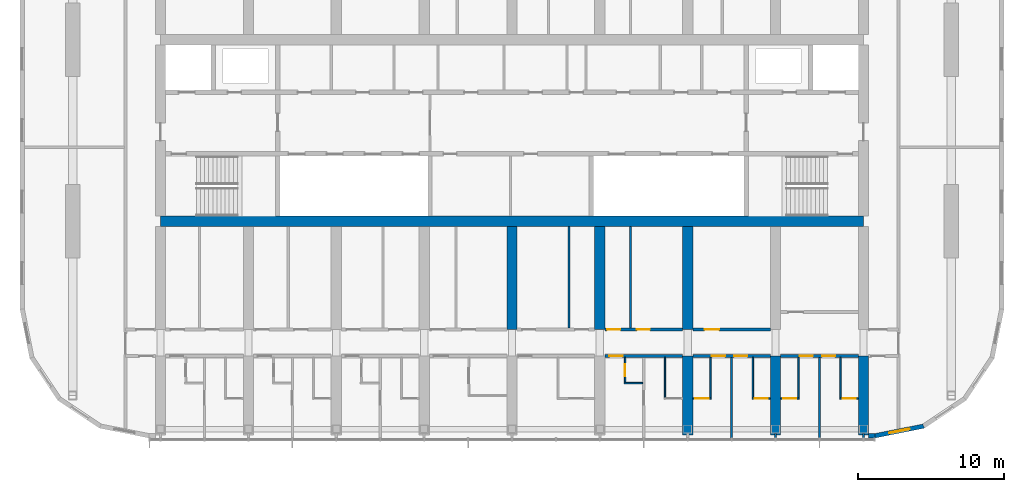
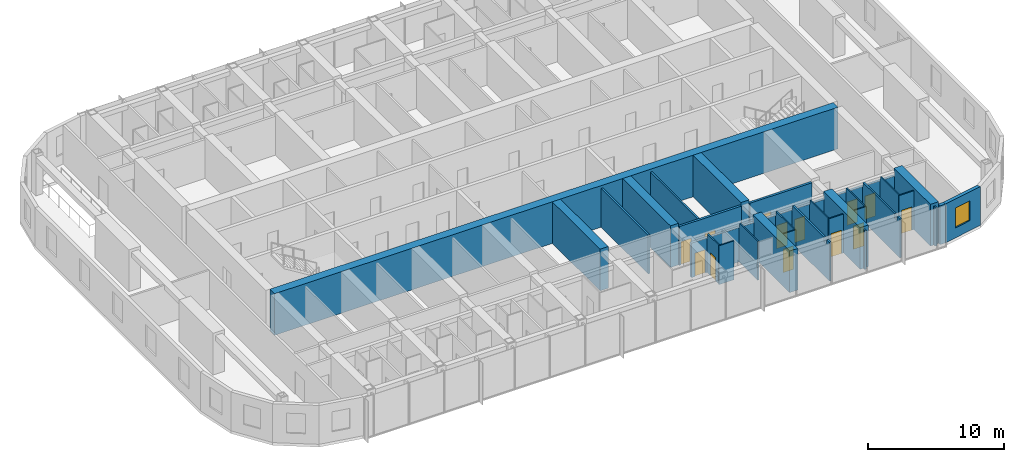
# One storey, part 13 of 24: 31 walls, 13 doors, 1 window, 14 openings.
"""IFC4 building model written with IfcOpenShell, lengths in metres."""

from ifc_helpers import new_model, si_unit, direction, frame, frame_2d, origin, place, context, subcontext, project, spatial, polyline, rectangle, outline, extrude, material, layer, layer_set, type_object, element, fill, save


model = new_model("IFC4")

# Units and contexts
model_context = context("Model", 3, precision=1e-05, world=origin(), true_north=direction((0.0, 1.0)))
body_context = subcontext(model_context, "Body", "Model", "MODEL_VIEW")
ifc_project = project(units=[si_unit("LENGTHUNIT", "METRE"), si_unit("AREAUNIT", "SQUARE_METRE"), si_unit("VOLUMEUNIT", "CUBIC_METRE"), si_unit("PLANEANGLEUNIT", "RADIAN"), si_unit("MASSUNIT", "GRAM", prefix="KILO")], contexts=[model_context])

# Site, building, storey
site_placement = place(None, origin())
site = spatial("IfcSite", under=ifc_project, at=site_placement, CompositionType="ELEMENT")
building_placement = place(site_placement, origin())
building = spatial("IfcBuilding", under=site, at=building_placement, Name="Orbita Commons", CompositionType="ELEMENT")
storey_placement = place(building_placement, frame((0.0, 0.0, 235.300048828125)))
storey = spatial("IfcBuildingStorey", under=building, at=storey_placement, Name="L58", CompositionType="ELEMENT", Elevation=235.300048828125)

# Wall
ifc_material_1 = material(Name="Concrete C50/60", Category="concrete")
ifc_layer_1 = layer(ifc_material_1, 0.699951171875)
ifc_layer_set_1 = layer_set([ifc_layer_1], Name="Concrete C50/60")
wall_type_1 = type_object("IfcWallType", Name="Core wall 700 C50/60", PredefinedType="SHEAR", material=ifc_layer_set_1)
wall_1_placement = place(storey_placement, frame((18.0, 25.800048828125, 0.0), z_axis=(0.0, 0.0, 1.0), x_axis=(1.0, 0.0, 0.0)))
element("IfcWall", 1, at=wall_1_placement, inside=storey, type_object=wall_type_1, Name="Core spine wall south L58", PredefinedType="SHEAR", context=body_context, shape_type="SweptSolid", body=[
    extrude(rectangle(XDim=48.0, YDim=0.699951171875, at=frame_2d((24.0, 0.0))), origin(), (0.0, 0.0, 1.0), 3.75),
])

# Wall, opening, door
ifc_material_2 = material(Name="Concrete blockwork", Category="masonry")
ifc_layer_2 = layer(ifc_material_2, 0.199951171875)
ifc_layer_set_2 = layer_set([ifc_layer_2], Name="Concrete blockwork")
wall_type_2 = type_object("IfcWallType", Name="Corridor wall 200 blockwork", PredefinedType="SOLIDWALL", material=ifc_layer_set_2)
wall_2_placement = place(storey_placement, frame((48.35009765625, 16.60009765625, 0.0), z_axis=(0.0, 0.0, 1.0), x_axis=(1.0, 0.0, 0.0)))
wall_2 = element("IfcWall", 2, at=wall_2_placement, inside=storey, type_object=wall_type_2, Name="Corridor wall 200 blockwork L58", PredefinedType="SOLIDWALL", context=body_context, shape_type="SweptSolid", body=[
    extrude(outline(polyline([(0.0, 0.0), (5.2998046875, 0.0), (5.300048828125, 3.099853515625), (0.0, 3.099853515625), (0.0, 0.0)])), frame((0.0, 0.10009765625, 0.0), z_axis=(0.0, -1.0, 0.0), x_axis=(1.0, 0.0, 0.0)), (0.0, 0.0, 1.0), 0.199951171875),
])
opening_1_placement = place(wall_2_placement, frame((0.300048828125, 0.0, 0.0)))
opening_1 = element("IfcOpeningElement", 3, at=opening_1_placement, cuts=wall_2, Name="Opening D11", PredefinedType="OPENING", context=body_context, shape_type="SweptSolid", body=[
    extrude(rectangle(XDim=0.89990234375, YDim=2.10009765625, at=frame_2d((0.449951171875, 1.050048828125))), frame((0.0, 0.10986328125, 0.0), z_axis=(0.0, -1.0, 0.0), x_axis=(1.0, 0.0, 0.0)), (0.0, 0.0, 1.0), 0.219970703125),
])
ifc_material_3 = material(Name="Steel-faced fire door leaf", Category="steel")
door_type_1 = type_object("IfcDoorType", Name="Corridor door 20 min 900x2100", OperationType="SINGLE_SWING_LEFT", PredefinedType="DOOR", material=ifc_material_3)
door_1_placement = place(opening_1_placement, origin())
door_1 = element("IfcDoor", 4, at=door_1_placement, inside=storey, type_object=door_type_1, Name="Guest suite sitting room and kitchenette L58-S10 entrance door", OperationType="SINGLE_SWING_LEFT", OverallHeight=2.10009765625, OverallWidth=0.89990234375, PredefinedType="DOOR", context=body_context, shape_type="SweptSolid", body=[
    extrude(rectangle(XDim=0.89990234375, YDim=2.10009765625, at=frame_2d((0.449951171875, 1.050048828125))), frame((0.0, 0.02490234375, 0.0), z_axis=(0.0, -1.0, 0.0), x_axis=(1.0, 0.0, 0.0)), (0.0, 0.0, 1.0), 0.050048828125),
])
fill(opening_1, door_1)

# Wall, openings, doors
wall_3_placement = place(storey_placement, frame((54.35009765625, 16.60009765625, 0.0), z_axis=(0.0, 0.0, 1.0), x_axis=(1.0, 0.0, 0.0)))
wall_3 = element("IfcWall", 5, at=wall_3_placement, inside=storey, type_object=wall_type_2, Name="Corridor wall 200 blockwork L58", PredefinedType="SOLIDWALL", context=body_context, shape_type="SweptSolid", body=[
    extrude(outline(polyline([(0.0, 0.0), (5.2998046875, 0.0), (5.300048828125, 3.099853515625), (0.0, 3.099853515625), (0.0, 0.0)])), frame((0.0, 0.10009765625, 0.0), z_axis=(0.0, -1.0, 0.0), x_axis=(1.0, 0.0, 0.0)), (0.0, 0.0, 1.0), 0.199951171875),
])
opening_2_placement = place(wall_3_placement, frame((1.300048828125, 0.0, 0.0)))
opening_2 = element("IfcOpeningElement", 6, at=opening_2_placement, cuts=wall_3, Name="Opening D11", PredefinedType="OPENING", context=body_context, shape_type="SweptSolid", body=[
    extrude(rectangle(XDim=0.89990234375, YDim=2.10009765625, at=frame_2d((0.449951171875, 1.050048828125))), frame((0.0, 0.10986328125, 0.0), z_axis=(0.0, -1.0, 0.0), x_axis=(1.0, 0.0, 0.0)), (0.0, 0.0, 1.0), 0.219970703125),
])
opening_3_placement = place(wall_3_placement, frame((2.824951171875, 0.0, 0.0)))
opening_3 = element("IfcOpeningElement", 7, at=opening_3_placement, cuts=wall_3, Name="Opening D11", PredefinedType="OPENING", context=body_context, shape_type="SweptSolid", body=[
    extrude(rectangle(XDim=0.89990234375, YDim=2.10009765625, at=frame_2d((0.449951171875, 1.050048828125))), frame((0.0, 0.10986328125, 0.0), z_axis=(0.0, -1.0, 0.0), x_axis=(1.0, 0.0, 0.0)), (0.0, 0.0, 1.0), 0.219970703125),
])
door_2_placement = place(opening_2_placement, origin())
door_2 = element("IfcDoor", 8, at=door_2_placement, inside=storey, type_object=door_type_1, Name="Cluster bedroom L58-S12 door", OperationType="SINGLE_SWING_LEFT", OverallHeight=2.10009765625, OverallWidth=0.89990234375, PredefinedType="DOOR", context=body_context, shape_type="SweptSolid", body=[
    extrude(rectangle(XDim=0.89990234375, YDim=2.10009765625, at=frame_2d((0.449951171875, 1.050048828125))), frame((0.0, 0.02490234375, 0.0), z_axis=(0.0, -1.0, 0.0), x_axis=(1.0, 0.0, 0.0)), (0.0, 0.0, 1.0), 0.050048828125),
])
fill(opening_2, door_2)
door_3_placement = place(opening_3_placement, origin())
door_3 = element("IfcDoor", 9, at=door_3_placement, inside=storey, type_object=door_type_1, Name="Cluster bedroom L58-S13 door", OperationType="SINGLE_SWING_LEFT", OverallHeight=2.10009765625, OverallWidth=0.89990234375, PredefinedType="DOOR", context=body_context, shape_type="SweptSolid", body=[
    extrude(rectangle(XDim=0.89990234375, YDim=2.10009765625, at=frame_2d((0.449951171875, 1.050048828125))), frame((0.0, 0.02490234375, 0.0), z_axis=(0.0, -1.0, 0.0), x_axis=(1.0, 0.0, 0.0)), (0.0, 0.0, 1.0), 0.050048828125),
])
fill(opening_3, door_3)

wall_4_placement = place(storey_placement, frame((60.35009765625, 16.60009765625, 0.0), z_axis=(0.0, 0.0, 1.0), x_axis=(1.0, 0.0, 0.0)))
wall_4 = element("IfcWall", 10, at=wall_4_placement, inside=storey, type_object=wall_type_2, Name="Corridor wall 200 blockwork L58", PredefinedType="SOLIDWALL", context=body_context, shape_type="SweptSolid", body=[
    extrude(outline(polyline([(0.0, 0.0), (5.2998046875, 0.0), (5.300048828125, 3.099853515625), (0.0, 3.099853515625), (0.0, 0.0)])), frame((0.0, 0.10009765625, 0.0), z_axis=(0.0, -1.0, 0.0), x_axis=(1.0, 0.0, 0.0)), (0.0, 0.0, 1.0), 0.199951171875),
])
opening_4_placement = place(wall_4_placement, frame((1.300048828125, 0.0, 0.0)))
opening_4 = element("IfcOpeningElement", 11, at=opening_4_placement, cuts=wall_4, Name="Opening D11", PredefinedType="OPENING", context=body_context, shape_type="SweptSolid", body=[
    extrude(rectangle(XDim=0.89990234375, YDim=2.10009765625, at=frame_2d((0.449951171875, 1.050048828125))), frame((0.0, 0.10986328125, 0.0), z_axis=(0.0, -1.0, 0.0), x_axis=(1.0, 0.0, 0.0)), (0.0, 0.0, 1.0), 0.219970703125),
])
opening_5_placement = place(wall_4_placement, frame((2.824951171875, 0.0, 0.0)))
opening_5 = element("IfcOpeningElement", 12, at=opening_5_placement, cuts=wall_4, Name="Opening D11", PredefinedType="OPENING", context=body_context, shape_type="SweptSolid", body=[
    extrude(rectangle(XDim=0.89990234375, YDim=2.10009765625, at=frame_2d((0.449951171875, 1.050048828125))), frame((0.0, 0.10986328125, 0.0), z_axis=(0.0, -1.0, 0.0), x_axis=(1.0, 0.0, 0.0)), (0.0, 0.0, 1.0), 0.219970703125),
])
door_4_placement = place(opening_4_placement, origin())
door_4 = element("IfcDoor", 13, at=door_4_placement, inside=storey, type_object=door_type_1, Name="Cluster bedroom L58-S14 door", OperationType="SINGLE_SWING_LEFT", OverallHeight=2.10009765625, OverallWidth=0.89990234375, PredefinedType="DOOR", context=body_context, shape_type="SweptSolid", body=[
    extrude(rectangle(XDim=0.89990234375, YDim=2.10009765625, at=frame_2d((0.449951171875, 1.050048828125))), frame((0.0, 0.02490234375, 0.0), z_axis=(0.0, -1.0, 0.0), x_axis=(1.0, 0.0, 0.0)), (0.0, 0.0, 1.0), 0.050048828125),
])
fill(opening_4, door_4)
door_5_placement = place(opening_5_placement, origin())
door_5 = element("IfcDoor", 14, at=door_5_placement, inside=storey, type_object=door_type_1, Name="Cluster bedroom L58-S15 door", OperationType="SINGLE_SWING_LEFT", OverallHeight=2.10009765625, OverallWidth=0.89990234375, PredefinedType="DOOR", context=body_context, shape_type="SweptSolid", body=[
    extrude(rectangle(XDim=0.89990234375, YDim=2.10009765625, at=frame_2d((0.449951171875, 1.050048828125))), frame((0.0, 0.02490234375, 0.0), z_axis=(0.0, -1.0, 0.0), x_axis=(1.0, 0.0, 0.0)), (0.0, 0.0, 1.0), 0.050048828125),
])
fill(opening_5, door_5)

ifc_material_4 = material(Name="Hollow concrete block 200", Category="concrete")
ifc_layer_3 = layer(ifc_material_4, 0.199951171875)
ifc_layer_set_3 = layer_set([ifc_layer_3], Name="Hollow concrete block 200")
wall_type_3 = type_object("IfcWallType", Name="Corridor wall 200 hollow concrete block", PredefinedType="SOLIDWALL", material=ifc_layer_set_3)
wall_5_placement = place(storey_placement, frame((48.35009765625, 18.39990234375, 0.0), z_axis=(0.0, 0.0, 1.0), x_axis=(1.0, 0.0, 0.0)))
wall_5 = element("IfcWall", 15, at=wall_5_placement, inside=storey, type_object=wall_type_3, Name="Corridor wall 200 hollow concrete block L58", PredefinedType="SOLIDWALL", context=body_context, shape_type="SweptSolid", body=[
    extrude(rectangle(XDim=5.2998046875, YDim=0.199951171875, at=frame_2d((2.64990234375, 0.0))), origin(), (0.0, 0.0, 1.0), 3.5),
])
opening_6_placement = place(wall_5_placement, frame((0.14990234375, 0.0, 0.0)))
opening_6 = element("IfcOpeningElement", 16, at=opening_6_placement, cuts=wall_5, Name="Opening D11", PredefinedType="OPENING", context=body_context, shape_type="SweptSolid", body=[
    extrude(rectangle(XDim=0.89990234375, YDim=2.10009765625, at=frame_2d((0.449951171875, 1.050048828125))), frame((0.0, 0.10986328125, 0.0), z_axis=(0.0, -1.0, 0.0), x_axis=(1.0, 0.0, 0.0)), (0.0, 0.0, 1.0), 0.219970703125),
])
opening_7_placement = place(wall_5_placement, frame((2.169921875, 0.0, 0.0)))
opening_7 = element("IfcOpeningElement", 17, at=opening_7_placement, cuts=wall_5, Name="Opening D11", PredefinedType="OPENING", context=body_context, shape_type="SweptSolid", body=[
    extrude(rectangle(XDim=0.89990234375, YDim=2.10009765625, at=frame_2d((0.449951171875, 1.050048828125))), frame((0.0, 0.10986328125, 0.0), z_axis=(0.0, -1.0, 0.0), x_axis=(1.0, 0.0, 0.0)), (0.0, 0.0, 1.0), 0.219970703125),
])
door_6_placement = place(opening_6_placement, origin())
door_6 = element("IfcDoor", 18, at=door_6_placement, inside=storey, type_object=door_type_1, Name="Sprinkler valve room L58-BDS48n door", OperationType="SINGLE_SWING_LEFT", OverallHeight=2.10009765625, OverallWidth=0.89990234375, PredefinedType="DOOR", context=body_context, shape_type="SweptSolid", body=[
    extrude(rectangle(XDim=0.89990234375, YDim=2.10009765625, at=frame_2d((0.449951171875, 1.050048828125))), frame((0.0, 0.02490234375, 0.0), z_axis=(0.0, -1.0, 0.0), x_axis=(1.0, 0.0, 0.0)), (0.0, 0.0, 1.0), 0.050048828125),
])
fill(opening_6, door_6)
door_7_placement = place(opening_7_placement, origin())
door_7 = element("IfcDoor", 19, at=door_7_placement, inside=storey, type_object=door_type_1, Name="Print and copy room L58-BDS48 door", OperationType="SINGLE_SWING_LEFT", OverallHeight=2.10009765625, OverallWidth=0.89990234375, PredefinedType="DOOR", context=body_context, shape_type="SweptSolid", body=[
    extrude(rectangle(XDim=0.89990234375, YDim=2.10009765625, at=frame_2d((0.449951171875, 1.050048828125))), frame((0.0, 0.02490234375, 0.0), z_axis=(0.0, -1.0, 0.0), x_axis=(1.0, 0.0, 0.0)), (0.0, 0.0, 1.0), 0.050048828125),
])
fill(opening_7, door_7)

# Wall, opening, door
wall_6_placement = place(storey_placement, frame((54.35009765625, 18.39990234375, 0.0), z_axis=(0.0, 0.0, 1.0), x_axis=(1.0, 0.0, 0.0)))
wall_6 = element("IfcWall", 20, at=wall_6_placement, inside=storey, type_object=wall_type_3, Name="Corridor wall 200 hollow concrete block L58", PredefinedType="SOLIDWALL", context=body_context, shape_type="SweptSolid", body=[
    extrude(rectangle(XDim=5.2998046875, YDim=0.199951171875, at=frame_2d((2.64990234375, 0.0))), origin(), (0.0, 0.0, 1.0), 3.5),
])
opening_8_placement = place(wall_6_placement, frame((0.800048828125, 0.0, 0.0)))
opening_8 = element("IfcOpeningElement", 21, at=opening_8_placement, cuts=wall_6, Name="Opening D06", PredefinedType="OPENING", context=body_context, shape_type="SweptSolid", body=[
    extrude(rectangle(XDim=1.0, YDim=2.10009765625, at=frame_2d((0.5, 1.050048828125))), frame((0.0, 0.10986328125, 0.0), z_axis=(0.0, -1.0, 0.0), x_axis=(1.0, 0.0, 0.0)), (0.0, 0.0, 1.0), 0.219970703125),
])
ifc_material_5 = material(Name="Steel-faced fire door leaf", Category="steel")
door_type_2 = type_object("IfcDoorType", Name="Corridor door 20 min 1000x2100", OperationType="SINGLE_SWING_LEFT", PredefinedType="DOOR", material=ifc_material_5)
door_8_placement = place(opening_8_placement, origin())
door_8 = element("IfcDoor", 22, at=door_8_placement, inside=storey, type_object=door_type_2, Name="Cleaners store L58-BDS54 door", OperationType="SINGLE_SWING_LEFT", OverallHeight=2.10009765625, OverallWidth=1.0, PredefinedType="DOOR", context=body_context, shape_type="SweptSolid", body=[
    extrude(rectangle(XDim=1.0, YDim=2.10009765625, at=frame_2d((0.5, 1.050048828125))), frame((0.0, 0.02490234375, 0.0), z_axis=(0.0, -1.0, 0.0), x_axis=(1.0, 0.0, 0.0)), (0.0, 0.0, 1.0), 0.050048828125),
])
fill(opening_8, door_8)

# Walls
ifc_material_6 = material(Name="Concrete C50/60", Category="concrete")
ifc_layer_4 = layer(ifc_material_6, 0.699951171875)
ifc_layer_set_4 = layer_set([ifc_layer_4], Name="Concrete C50/60")
wall_type_4 = type_object("IfcWallType", Name="Cross wall 700 C50/60", PredefinedType="SHEAR", material=ifc_layer_set_4)
for number, where, z_axis, x_axis, name in (
    (23, (42.0, 18.39990234375, 0.0), (0.0, 0.0, 1.0), (0.0, 1.0, 0.0), "Cross wall 8 south inner L58"),
    (24, (48.0, 18.39990234375, 0.0), (0.0, 0.0, 1.0), (0.0, 1.0, 0.0), "Cross wall 9 south inner L58"),
):
    element("IfcWall", number, at=place(storey_placement, frame(where, z_axis=z_axis, x_axis=x_axis)), inside=storey, type_object=wall_type_4, Name=name, PredefinedType="SHEAR", context=body_context, shape_type="SweptSolid", body=[
        extrude(rectangle(XDim=7.050048828125, YDim=0.699951171875, at=frame_2d((3.52490234375, 0.0))), origin(), (0.0, 0.0, 1.0), 3.75),
    ])
wall_7_placement = place(storey_placement, frame((54.0, 11.199951171875, 0.0), z_axis=(0.0, 0.0, 1.0), x_axis=(0.0, 1.0, 0.0)))
element("IfcWall", 25, at=wall_7_placement, inside=storey, type_object=wall_type_4, Name="Cross wall 10 south outer L58", PredefinedType="SHEAR", context=body_context, shape_type="SweptSolid", body=[
    extrude(rectangle(XDim=5.400146484375, YDim=0.699951171875, at=frame_2d((2.7001953125, 0.0))), origin(), (0.0, 0.0, 1.0), 3.75),
])
wall_8_placement = place(storey_placement, frame((54.0, 18.39990234375, 0.0), z_axis=(0.0, 0.0, 1.0), x_axis=(0.0, 1.0, 0.0)))
element("IfcWall", 26, at=wall_8_placement, inside=storey, type_object=wall_type_4, Name="Cross wall 10 south inner L58", PredefinedType="SHEAR", context=body_context, shape_type="SweptSolid", body=[
    extrude(rectangle(XDim=7.050048828125, YDim=0.699951171875, at=frame_2d((3.52490234375, 0.0))), origin(), (0.0, 0.0, 1.0), 3.75),
])
for number, where, z_axis, x_axis, name in (
    (27, (60.0, 11.199951171875, 0.0), (0.0, 0.0, 1.0), (0.0, 1.0, 0.0), "Cross wall 11 south outer L58"),
    (28, (66.0, 11.199951171875, 0.0), (0.0, 0.0, 1.0), (0.0, 1.0, 0.0), "Cross wall 12 south outer L58"),
):
    element("IfcWall", number, at=place(storey_placement, frame(where, z_axis=z_axis, x_axis=x_axis)), inside=storey, type_object=wall_type_4, Name=name, PredefinedType="SHEAR", context=body_context, shape_type="SweptSolid", body=[
        extrude(rectangle(XDim=5.400146484375, YDim=0.699951171875, at=frame_2d((2.7001953125, 0.0))), origin(), (0.0, 0.0, 1.0), 3.75),
    ])
ifc_material_7 = material(Name="Moisture-resistant plasterboard on steel studs", Category="steel")
ifc_layer_5 = layer(ifc_material_7, 0.10009765625)
ifc_layer_set_5 = layer_set([ifc_layer_5], Name="Moisture-resistant plasterboard on steel studs")
wall_type_5 = type_object("IfcWallType", Name="En-suite partition 100", PredefinedType="PARTITIONING", material=ifc_layer_set_5)
wall_9_placement = place(storey_placement, frame((52.449951171875, 13.75, 0.0), z_axis=(0.0, 0.0, 1.0), x_axis=(0.0, 1.0, 0.0)))
element("IfcWall", 29, at=wall_9_placement, inside=storey, type_object=wall_type_5, Name="En-suite partition 100 L58", PredefinedType="PARTITIONING", context=body_context, shape_type="SweptSolid", body=[
    extrude(outline(polyline([(0.0, 0.0), (2.75, 0.0), (2.75, 3.099853515625), (2.701904296875, 3.099853515625), (2.699951171875, 3.5), (0.0, 3.5), (0.0, 0.0)])), frame((0.0, 0.050048828125, 0.0), z_axis=(0.0, -1.0, 0.0), x_axis=(1.0, 0.0, 0.0)), (0.0, 0.0, 1.0), 0.10009765625),
])
wall_10_placement = place(storey_placement, frame((49.64990234375, 14.75, 0.0), z_axis=(0.0, 0.0, 1.0), x_axis=(1.0, 0.0, 0.0)))
element("IfcWall", 30, at=wall_10_placement, inside=storey, type_object=wall_type_5, Name="En-suite partition 100 L58", PredefinedType="PARTITIONING", context=body_context, shape_type="SweptSolid", body=[
    extrude(rectangle(XDim=1.275146484375, YDim=0.10009765625, at=frame_2d((0.6376953125, 0.0))), origin(), (0.0, 0.0, 1.0), 3.5),
])

# Wall, opening, door
wall_11_placement = place(storey_placement, frame((49.72509765625, 14.75, 0.0), z_axis=(0.0, 0.0, 1.0), x_axis=(0.0, 1.0, 0.0)))
wall_11 = element("IfcWall", 31, at=wall_11_placement, inside=storey, type_object=wall_type_5, Name="En-suite partition 100 L58", PredefinedType="PARTITIONING", context=body_context, shape_type="SweptSolid", body=[
    extrude(outline(polyline([(0.0, 0.0), (1.75, 0.0), (1.75, 3.099853515625), (1.701904296875, 3.099853515625), (1.699951171875, 3.5), (0.0, 3.5), (0.0, 0.0)])), frame((0.0, 0.050048828125, 0.0), z_axis=(0.0, -1.0, 0.0), x_axis=(1.0, 0.0, 0.0)), (0.0, 0.0, 1.0), 0.10009765625),
])
opening_9_placement = place(wall_11_placement, frame((0.47509765625, 0.0, 0.0)))
opening_9 = element("IfcOpeningElement", 32, at=opening_9_placement, cuts=wall_11, Name="Opening D16", PredefinedType="OPENING", context=body_context, shape_type="SweptSolid", body=[
    extrude(rectangle(XDim=0.800048828125, YDim=2.10009765625, at=frame_2d((0.39990234375, 1.050048828125))), frame((0.0, 0.06005859375, 0.0), z_axis=(0.0, -1.0, 0.0), x_axis=(1.0, 0.0, 0.0)), (0.0, 0.0, 1.0), 0.1201171875),
])
ifc_material_8 = material(Name="Laminated timber door leaf", Category="wood")
door_type_3 = type_object("IfcDoorType", Name="En-suite door 800x2100", OperationType="SINGLE_SWING_RIGHT", PredefinedType="DOOR", material=ifc_material_8)
door_9_placement = place(opening_9_placement, origin())
door_9 = element("IfcDoor", 33, at=door_9_placement, inside=storey, type_object=door_type_3, Name="Guest suite WC L58-S10 door", OperationType="SINGLE_SWING_RIGHT", OverallHeight=2.10009765625, OverallWidth=0.800048828125, PredefinedType="DOOR", context=body_context, shape_type="SweptSolid", body=[
    extrude(rectangle(XDim=0.800048828125, YDim=2.10009765625, at=frame_2d((0.39990234375, 1.050048828125))), frame((0.0, 0.02490234375, 0.0), z_axis=(0.0, -1.0, 0.0), x_axis=(1.0, 0.0, 0.0)), (0.0, 0.0, 1.0), 0.050048828125),
])
fill(opening_9, door_9)

wall_12_placement = place(storey_placement, frame((55.60009765625, 13.699951171875, 0.0), z_axis=(0.0, 0.0, 1.0), x_axis=(-1.0, 0.0, 0.0)))
wall_12 = element("IfcWall", 34, at=wall_12_placement, inside=storey, type_object=wall_type_5, Name="En-suite partition 100 L58", PredefinedType="PARTITIONING", context=body_context, shape_type="SweptSolid", body=[
    extrude(rectangle(XDim=1.25, YDim=0.10009765625, at=frame_2d((0.625, 0.0))), origin(), (0.0, 0.0, 1.0), 3.5),
])
opening_10_placement = place(wall_12_placement, frame((0.175048828125, 0.0, 0.0)))
opening_10 = element("IfcOpeningElement", 35, at=opening_10_placement, cuts=wall_12, Name="Opening D09", PredefinedType="OPENING", context=body_context, shape_type="SweptSolid", body=[
    extrude(rectangle(XDim=0.89990234375, YDim=2.10009765625, at=frame_2d((0.449951171875, 1.050048828125))), frame((0.0, 0.06005859375, 0.0), z_axis=(0.0, -1.0, 0.0), x_axis=(1.0, 0.0, 0.0)), (0.0, 0.0, 1.0), 0.1201171875),
])
ifc_material_9 = material(Name="Laminated timber door leaf", Category="wood")
door_type_4 = type_object("IfcDoorType", Name="En-suite door 900x2100", OperationType="SINGLE_SWING_RIGHT", PredefinedType="DOOR", material=ifc_material_9)
door_10_placement = place(opening_10_placement, origin())
door_10 = element("IfcDoor", 36, at=door_10_placement, inside=storey, type_object=door_type_4, Name="En-suite L58-S12 door", OperationType="SINGLE_SWING_RIGHT", OverallHeight=2.10009765625, OverallWidth=0.89990234375, PredefinedType="DOOR", context=body_context, shape_type="SweptSolid", body=[
    extrude(rectangle(XDim=0.89990234375, YDim=2.10009765625, at=frame_2d((0.449951171875, 1.050048828125))), frame((0.0, 0.02490234375, 0.0), z_axis=(0.0, -1.0, 0.0), x_axis=(1.0, 0.0, 0.0)), (0.0, 0.0, 1.0), 0.050048828125),
])
fill(opening_10, door_10)

# Wall
wall_13_placement = place(storey_placement, frame((55.550048828125, 13.75, 0.0), z_axis=(0.0, 0.0, 1.0), x_axis=(0.0, 1.0, 0.0)))
element("IfcWall", 37, at=wall_13_placement, inside=storey, type_object=wall_type_5, Name="En-suite partition 100 L58", PredefinedType="PARTITIONING", context=body_context, shape_type="SweptSolid", body=[
    extrude(outline(polyline([(0.0, 0.0), (2.75, 0.0), (2.75, 3.099853515625), (2.701904296875, 3.099853515625), (2.699951171875, 3.5), (0.0, 3.5), (0.0, 0.0)])), frame((0.0, 0.050048828125, 0.0), z_axis=(0.0, -1.0, 0.0), x_axis=(1.0, 0.0, 0.0)), (0.0, 0.0, 1.0), 0.10009765625),
])

# Wall, opening, door
wall_14_placement = place(storey_placement, frame((59.64990234375, 13.699951171875, 0.0), z_axis=(0.0, 0.0, 1.0), x_axis=(-1.0, 0.0, 0.0)))
wall_14 = element("IfcWall", 38, at=wall_14_placement, inside=storey, type_object=wall_type_5, Name="En-suite partition 100 L58", PredefinedType="PARTITIONING", context=body_context, shape_type="SweptSolid", body=[
    extrude(rectangle(XDim=1.25, YDim=0.10009765625, at=frame_2d((0.625, 0.0))), origin(), (0.0, 0.0, 1.0), 3.5),
])
opening_11_placement = place(wall_14_placement, frame((0.175048828125, 0.0, 0.0)))
opening_11 = element("IfcOpeningElement", 39, at=opening_11_placement, cuts=wall_14, Name="Opening D09", PredefinedType="OPENING", context=body_context, shape_type="SweptSolid", body=[
    extrude(rectangle(XDim=0.89990234375, YDim=2.10009765625, at=frame_2d((0.449951171875, 1.050048828125))), frame((0.0, 0.06005859375, 0.0), z_axis=(0.0, -1.0, 0.0), x_axis=(1.0, 0.0, 0.0)), (0.0, 0.0, 1.0), 0.1201171875),
])
door_11_placement = place(opening_11_placement, origin())
door_11 = element("IfcDoor", 40, at=door_11_placement, inside=storey, type_object=door_type_4, Name="En-suite L58-S13 door", OperationType="SINGLE_SWING_RIGHT", OverallHeight=2.10009765625, OverallWidth=0.89990234375, PredefinedType="DOOR", context=body_context, shape_type="SweptSolid", body=[
    extrude(rectangle(XDim=0.89990234375, YDim=2.10009765625, at=frame_2d((0.449951171875, 1.050048828125))), frame((0.0, 0.02490234375, 0.0), z_axis=(0.0, -1.0, 0.0), x_axis=(1.0, 0.0, 0.0)), (0.0, 0.0, 1.0), 0.050048828125),
])
fill(opening_11, door_11)

# Wall
wall_15_placement = place(storey_placement, frame((58.449951171875, 13.75, 0.0), z_axis=(0.0, 0.0, 1.0), x_axis=(0.0, 1.0, 0.0)))
element("IfcWall", 41, at=wall_15_placement, inside=storey, type_object=wall_type_5, Name="En-suite partition 100 L58", PredefinedType="PARTITIONING", context=body_context, shape_type="SweptSolid", body=[
    extrude(outline(polyline([(0.0, 0.0), (2.75, 0.0), (2.75, 3.099853515625), (2.701904296875, 3.099853515625), (2.699951171875, 3.5), (0.0, 3.5), (0.0, 0.0)])), frame((0.0, 0.050048828125, 0.0), z_axis=(0.0, -1.0, 0.0), x_axis=(1.0, 0.0, 0.0)), (0.0, 0.0, 1.0), 0.10009765625),
])

# Wall, opening, door
wall_16_placement = place(storey_placement, frame((61.60009765625, 13.699951171875, 0.0), z_axis=(0.0, 0.0, 1.0), x_axis=(-1.0, 0.0, 0.0)))
wall_16 = element("IfcWall", 42, at=wall_16_placement, inside=storey, type_object=wall_type_5, Name="En-suite partition 100 L58", PredefinedType="PARTITIONING", context=body_context, shape_type="SweptSolid", body=[
    extrude(rectangle(XDim=1.25, YDim=0.10009765625, at=frame_2d((0.625, 0.0))), origin(), (0.0, 0.0, 1.0), 3.5),
])
opening_12_placement = place(wall_16_placement, frame((0.175048828125, 0.0, 0.0)))
opening_12 = element("IfcOpeningElement", 43, at=opening_12_placement, cuts=wall_16, Name="Opening D09", PredefinedType="OPENING", context=body_context, shape_type="SweptSolid", body=[
    extrude(rectangle(XDim=0.89990234375, YDim=2.10009765625, at=frame_2d((0.449951171875, 1.050048828125))), frame((0.0, 0.06005859375, 0.0), z_axis=(0.0, -1.0, 0.0), x_axis=(1.0, 0.0, 0.0)), (0.0, 0.0, 1.0), 0.1201171875),
])
door_12_placement = place(opening_12_placement, origin())
door_12 = element("IfcDoor", 44, at=door_12_placement, inside=storey, type_object=door_type_4, Name="En-suite L58-S14 door", OperationType="SINGLE_SWING_RIGHT", OverallHeight=2.10009765625, OverallWidth=0.89990234375, PredefinedType="DOOR", context=body_context, shape_type="SweptSolid", body=[
    extrude(rectangle(XDim=0.89990234375, YDim=2.10009765625, at=frame_2d((0.449951171875, 1.050048828125))), frame((0.0, 0.02490234375, 0.0), z_axis=(0.0, -1.0, 0.0), x_axis=(1.0, 0.0, 0.0)), (0.0, 0.0, 1.0), 0.050048828125),
])
fill(opening_12, door_12)

# Wall
wall_17_placement = place(storey_placement, frame((61.550048828125, 13.75, 0.0), z_axis=(0.0, 0.0, 1.0), x_axis=(0.0, 1.0, 0.0)))
element("IfcWall", 45, at=wall_17_placement, inside=storey, type_object=wall_type_5, Name="En-suite partition 100 L58", PredefinedType="PARTITIONING", context=body_context, shape_type="SweptSolid", body=[
    extrude(outline(polyline([(0.0, 0.0), (2.75, 0.0), (2.75, 3.099853515625), (2.701904296875, 3.099853515625), (2.699951171875, 3.5), (0.0, 3.5), (0.0, 0.0)])), frame((0.0, 0.050048828125, 0.0), z_axis=(0.0, -1.0, 0.0), x_axis=(1.0, 0.0, 0.0)), (0.0, 0.0, 1.0), 0.10009765625),
])

# Wall, opening, door
wall_18_placement = place(storey_placement, frame((65.64990234375, 13.699951171875, 0.0), z_axis=(0.0, 0.0, 1.0), x_axis=(-1.0, 0.0, 0.0)))
wall_18 = element("IfcWall", 46, at=wall_18_placement, inside=storey, type_object=wall_type_5, Name="En-suite partition 100 L58", PredefinedType="PARTITIONING", context=body_context, shape_type="SweptSolid", body=[
    extrude(rectangle(XDim=1.25, YDim=0.10009765625, at=frame_2d((0.625, 0.0))), origin(), (0.0, 0.0, 1.0), 3.5),
])
opening_13_placement = place(wall_18_placement, frame((0.175048828125, 0.0, 0.0)))
opening_13 = element("IfcOpeningElement", 47, at=opening_13_placement, cuts=wall_18, Name="Opening D09", PredefinedType="OPENING", context=body_context, shape_type="SweptSolid", body=[
    extrude(rectangle(XDim=0.89990234375, YDim=2.10009765625, at=frame_2d((0.449951171875, 1.050048828125))), frame((0.0, 0.06005859375, 0.0), z_axis=(0.0, -1.0, 0.0), x_axis=(1.0, 0.0, 0.0)), (0.0, 0.0, 1.0), 0.1201171875),
])
door_13_placement = place(opening_13_placement, origin())
door_13 = element("IfcDoor", 48, at=door_13_placement, inside=storey, type_object=door_type_4, Name="En-suite L58-S15 door", OperationType="SINGLE_SWING_RIGHT", OverallHeight=2.10009765625, OverallWidth=0.89990234375, PredefinedType="DOOR", context=body_context, shape_type="SweptSolid", body=[
    extrude(rectangle(XDim=0.89990234375, YDim=2.10009765625, at=frame_2d((0.449951171875, 1.050048828125))), frame((0.0, 0.02490234375, 0.0), z_axis=(0.0, -1.0, 0.0), x_axis=(1.0, 0.0, 0.0)), (0.0, 0.0, 1.0), 0.050048828125),
])
fill(opening_13, door_13)

# Walls
wall_19_placement = place(storey_placement, frame((64.449951171875, 13.75, 0.0), z_axis=(0.0, 0.0, 1.0), x_axis=(0.0, 1.0, 0.0)))
element("IfcWall", 49, at=wall_19_placement, inside=storey, type_object=wall_type_5, Name="En-suite partition 100 L58", PredefinedType="PARTITIONING", context=body_context, shape_type="SweptSolid", body=[
    extrude(outline(polyline([(0.0, 0.0), (2.75, 0.0), (2.75, 3.099853515625), (2.701904296875, 3.099853515625), (2.699951171875, 3.5), (0.0, 3.5), (0.0, 0.0)])), frame((0.0, 0.050048828125, 0.0), z_axis=(0.0, -1.0, 0.0), x_axis=(1.0, 0.0, 0.0)), (0.0, 0.0, 1.0), 0.10009765625),
])
ifc_material_10 = material(Name="Gypsum plasterboard on steel studs", Category="steel")
ifc_layer_6 = layer(ifc_material_10, 0.14990234375)
ifc_layer_set_6 = layer_set([ifc_layer_6], Name="Gypsum plasterboard on steel studs")
wall_type_6 = type_object("IfcWallType", Name="Partition 150 plasterboard", PredefinedType="PARTITIONING", material=ifc_layer_set_6)
for number, where, z_axis, x_axis, name in (
    (50, (45.885009765625, 18.5, 0.0), (0.0, 0.0, 1.0), (0.0, 1.0, 0.0), "Partition 150 plasterboard L58"),
    (51, (50.094970703125, 18.5, 0.0), (0.0, 0.0, 1.0), (0.0, 1.0, 0.0), "Partition 150 plasterboard L58"),
):
    element("IfcWall", number, at=place(storey_placement, frame(where, z_axis=z_axis, x_axis=x_axis)), inside=storey, type_object=wall_type_6, Name=name, PredefinedType="PARTITIONING", context=body_context, shape_type="SweptSolid", body=[
        extrude(rectangle(XDim=6.949951171875, YDim=0.14990234375, at=frame_2d((3.47509765625, 0.0))), origin(), (0.0, 0.0, 1.0), 3.5),
    ])
for number, where, z_axis, x_axis, name in (
    (52, (60.0, 11.300048828125, 0.0), (0.0, 0.0, 1.0), (0.0, -1.0, 0.0), "Partition 150 plasterboard L58"),
    (53, (66.0, 11.300048828125, 0.0), (0.0, 0.0, 1.0), (0.0, -1.0, 0.0), "Partition 150 plasterboard L58"),
):
    element("IfcWall", number, at=place(storey_placement, frame(where, z_axis=z_axis, x_axis=x_axis)), inside=storey, type_object=wall_type_6, Name=name, PredefinedType="PARTITIONING", context=body_context, shape_type="SweptSolid", body=[
        extrude(rectangle(XDim=0.2900390625, YDim=0.14990234375, at=frame_2d((0.14501953125, 0.0))), origin(), (0.0, 0.0, 1.0), 3.5),
    ])
ifc_material_11 = material(Name="Gypsum plasterboard on steel studs", Category="steel")
ifc_layer_7 = layer(ifc_material_11, 0.14990234375)
ifc_layer_set_7 = layer_set([ifc_layer_7], Name="Gypsum plasterboard on steel studs")
wall_type_7 = type_object("IfcWallType", Name="Party wall 150 plasterboard", PredefinedType="PARTITIONING", material=ifc_layer_set_7)
for number, where, z_axis, x_axis, name in (
    (54, (57.0, 11.010009765625, 0.0), (0.0, 0.0, 1.0), (0.0, 1.0, 0.0), "Party wall 150 plasterboard L58"),
    (55, (63.0, 11.010009765625, 0.0), (0.0, 0.0, 1.0), (0.0, 1.0, 0.0), "Party wall 150 plasterboard L58"),
):
    element("IfcWall", number, at=place(storey_placement, frame(where, z_axis=z_axis, x_axis=x_axis)), inside=storey, type_object=wall_type_7, Name=name, PredefinedType="PARTITIONING", context=body_context, shape_type="SweptSolid", body=[
        extrude(outline(polyline([(0.0, 0.0), (5.489990234375, 0.0), (5.489990234375, 3.099853515625), (5.44189453125, 3.099853515625), (5.43994140625, 3.5), (0.7919921875, 3.5), (0.7900390625, 3.099853515625), (0.39208984375, 3.099853515625), (0.389892578125, 3.5), (0.0, 3.5), (0.0, 0.0)])), frame((0.0, 0.074951171875, 0.0), z_axis=(0.0, -1.0, 0.0), x_axis=(1.0, 0.0, 0.0)), (0.0, 0.0, 1.0), 0.14990234375),
    ])

# Wall, opening, window
ifc_material_12 = material(Name="Precast concrete C40/50, white board-marked finish", Category="concrete")
ifc_layer_8 = layer(ifc_material_12, 0.300048828125)
ifc_layer_set_8 = layer_set([ifc_layer_8], Name="Precast concrete C40/50, white board-marked finish")
wall_type_8 = type_object("IfcWallType", Name="Precast concrete end shield 300", PredefinedType="SOLIDWALL", material=ifc_layer_set_8)
wall_20_placement = place(storey_placement, frame((66.800048828125, 11.14990234375, 0.0), z_axis=(0.0, 0.0, 1.0), x_axis=(0.98078325777, 0.195100490205, 0.0)))
wall_20 = element("IfcWall", 56, at=wall_20_placement, inside=storey, type_object=wall_type_8, Name="End shield SE chord 1 L58", PredefinedType="SOLIDWALL", context=body_context, shape_type="SweptSolid", body=[
    extrude(outline(polyline([(-0.02978515625, -0.14990234375), (3.40478515625, -0.14990234375), (3.34521484375, 0.14990234375), (0.02978515625, 0.14990234375), (-0.02978515625, -0.14990234375)])), origin(), (0.0, 0.0, 1.0), 3.5),
])
opening_14_placement = place(wall_20_placement, frame((0.987548828125, 0.0, 0.89990234375)))
opening_14 = element("IfcOpeningElement", 57, at=opening_14_placement, cuts=wall_20, Name="Opening W02", PredefinedType="OPENING", context=body_context, shape_type="SweptSolid", body=[
    extrude(rectangle(XDim=1.39990234375, YDim=1.800048828125, at=frame_2d((0.699951171875, 0.89990234375))), frame((0.0, 0.159912109375, 0.0), z_axis=(0.0, -1.0, 0.0), x_axis=(1.0, 0.0, 0.0)), (0.0, 0.0, 1.0), 0.320068359375),
])
ifc_material_13 = material(Name="Aluminium frame, clear double glazing", Category="aluminium")
window_type = type_object("IfcWindowType", Name="Deep-set window 1400x1800", PartitioningType="SINGLE_PANEL", PredefinedType="WINDOW", material=ifc_material_13)
window_placement = place(opening_14_placement, origin())
window = element("IfcWindow", 58, at=window_placement, inside=storey, type_object=window_type, Name="Window L58-SE0", OverallHeight=1.800048828125, OverallWidth=1.39990234375, PartitioningType="SINGLE_PANEL", PredefinedType="WINDOW", context=body_context, shape_type="SweptSolid", body=[
    extrude(rectangle(XDim=1.39990234375, YDim=1.800048828125, at=frame_2d((0.699951171875, 0.89990234375))), frame((0.0, 0.030029296875, 0.0), z_axis=(0.0, -1.0, 0.0), x_axis=(1.0, 0.0, 0.0)), (0.0, 0.0, 1.0), 0.06005859375),
])
fill(opening_14, window)

# Wall
wall_21_placement = place(storey_placement, frame((66.800048828125, 11.14990234375, 0.0), z_axis=(0.0, 0.0, 1.0), x_axis=(-1.0, 0.0, 0.0)))
element("IfcWall", 59, at=wall_21_placement, inside=storey, type_object=wall_type_8, Name="End shield SE closer L58", PredefinedType="SOLIDWALL", context=body_context, shape_type="SweptSolid", body=[
    extrude(rectangle(XDim=0.449951171875, YDim=0.300048828125, at=frame_2d((0.22509765625, 0.0))), origin(), (0.0, 0.0, 1.0), 3.5),
])

save(model, "model.ifc")
